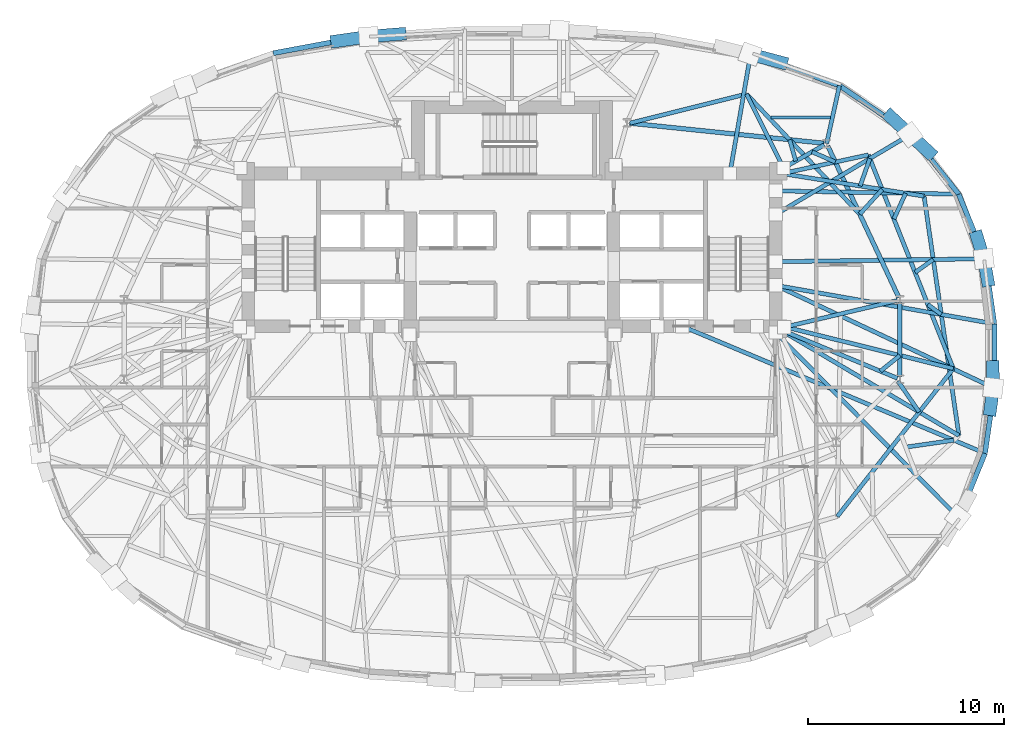
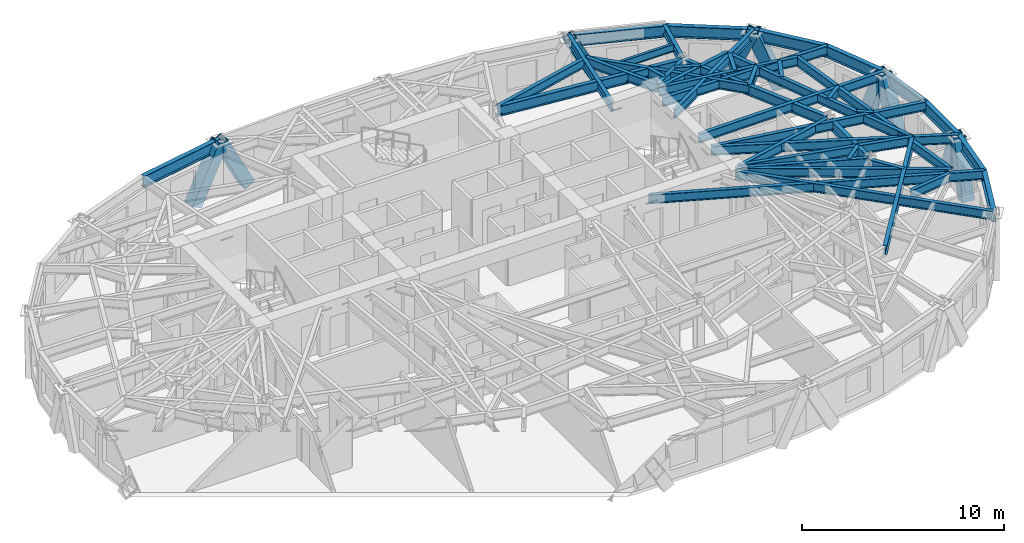
# One storey, part 4 of 15: 45 beams, 9 members.
"""IFC4 building model written with IfcOpenShell, lengths in metres."""

from ifc_helpers import new_model, si_unit, direction, frame, origin, origin_2d, place, context, subcontext, project, spatial, hollow_rectangle, i_section, extrude, material, material_profile, profile_set, type_object, element, save


model = new_model("IFC4")

# Units and contexts
model_context = context("Model", 3, precision=1e-05, world=origin(), true_north=direction((0.0, 1.0)))
body_context = subcontext(model_context, "Body", "Model", "MODEL_VIEW")
ifc_project = project(units=[si_unit("LENGTHUNIT", "METRE"), si_unit("AREAUNIT", "SQUARE_METRE"), si_unit("VOLUMEUNIT", "CUBIC_METRE"), si_unit("PLANEANGLEUNIT", "RADIAN"), si_unit("MASSUNIT", "GRAM", prefix="KILO")], contexts=[model_context])

# Site, building, storey
site_placement = place(None, origin())
site = spatial("IfcSite", under=ifc_project, at=site_placement, CompositionType="ELEMENT")
building_placement = place(site_placement, origin())
building = spatial("IfcBuilding", under=site, at=building_placement, Name="Keldmark Tower", CompositionType="ELEMENT")
storey_placement = place(building_placement, frame((0.0, 0.0, 143.800048828125)))
storey = spatial("IfcBuildingStorey", under=building, at=storey_placement, Name="L38", CompositionType="ELEMENT", Elevation=143.800048828125)

# Beam
ifc_material_1 = material(Name="Steel ASTM A992 Grade 50", Category="steel")
ifc_material_profile_1 = material_profile(ifc_material_1, i_section(OverallWidth=0.153076171875, OverallDepth=0.455078125, WebThickness=0.008056640625, FlangeThickness=0.01318359375, at=origin_2d()), Name="W18X40")
ifc_profile_set_1 = profile_set([ifc_material_profile_1], Name="Steel ASTM A992 Grade 50")
beam_type_1 = type_object("IfcBeamType", Name="Composite Floor Joist W18X40", PredefinedType="JOIST", material=ifc_profile_set_1)
beam_1_placement = place(storey_placement, frame((13.2451171875, 12.199951171875, 2.79248046875), z_axis=(1.0, 0.0, 0.0), x_axis=(0.0, 1.0, 0.0)))
element("IfcBeam", 1, at=beam_1_placement, inside=storey, type_object=beam_type_1, Name="L38 Composite Floor Joist J08", PredefinedType="JOIST", context=body_context, shape_type="SweptSolid", body=[
    extrude(i_section(OverallWidth=0.153076171875, OverallDepth=0.455078125, WebThickness=0.008056640625, FlangeThickness=0.01318359375, at=origin_2d()), origin(), (0.0, 0.0, 1.0), 3.03369140625),
])

# Members
ifc_material_2 = material(Name="Steel ASTM A572 Grade 50", Category="steel")
ifc_material_profile_2 = material_profile(ifc_material_2, hollow_rectangle(XDim=0.64990234375, YDim=0.64990234375, WallThickness=0.0400390625, at=origin_2d()), Name="BOX650X650X40")
ifc_profile_set_2 = profile_set([ifc_material_profile_2], Name="Steel ASTM A572 Grade 50")
member_type = type_object("IfcMemberType", Name="Diagrid Zone 3 Brace BOX650X650X40", PredefinedType="BRACE", material=ifc_profile_set_2)
member_1_placement = place(storey_placement, frame((24.310302734375, 3.864990234375, -0.260009765625), z_axis=(-0.057983541916, 0.328233467175, 0.942815305292), x_axis=(-0.984752742051, -0.173959871876, 0.0)))
element("IfcMember", 2, at=member_1_placement, inside=storey, type_object=member_type, Name="L38 Perimeter Diagrid Brace 01A", PredefinedType="BRACE", context=body_context, shape_type="SweptSolid", body=[
    extrude(hollow_rectangle(XDim=0.64990234375, YDim=0.64990234375, WallThickness=0.0400390625, at=origin_2d()), origin(), (0.0, 0.0, 1.0), 3.3515625),
])
member_2_placement = place(storey_placement, frame((23.76611328125, 6.081787109375, -0.260009765625), z_axis=(0.104423532685, -0.334401347567, 0.936627708626), x_axis=(0.954542441531, 0.298075036384, 0.0)))
element("IfcMember", 3, at=member_2_placement, inside=storey, type_object=member_type, Name="L38 Perimeter Diagrid Brace 01B", PredefinedType="BRACE", context=body_context, shape_type="SweptSolid", body=[
    extrude(hollow_rectangle(XDim=0.64990234375, YDim=0.64990234375, WallThickness=0.0400390625, at=origin_2d()), origin(), (0.0, 0.0, 1.0), 3.373779296875),
])
member_3_placement = place(storey_placement, frame((21.344482421875, 10.387939453125, -0.260009765625), z_axis=(-0.291987734799, 0.269298061381, 0.917726384531), x_axis=(-0.67796865305, -0.735090814445, 0.0)))
element("IfcMember", 4, at=member_3_placement, inside=storey, type_object=member_type, Name="L38 Perimeter Diagrid Brace 02A", PredefinedType="BRACE", context=body_context, shape_type="SweptSolid", body=[
    extrude(hollow_rectangle(XDim=0.64990234375, YDim=0.64990234375, WallThickness=0.0400390625, at=origin_2d()), origin(), (0.0, 0.0, 1.0), 3.443115234375),
])
member_4_placement = place(storey_placement, frame((19.322509765625, 12.255859375, -0.260009765625), z_axis=(0.296105459539, -0.275116599997, 0.914676124777), x_axis=(0.680665672598, 0.732594186536, 0.0)))
element("IfcMember", 5, at=member_4_placement, inside=storey, type_object=member_type, Name="L38 Perimeter Diagrid Brace 02B", PredefinedType="BRACE", context=body_context, shape_type="SweptSolid", body=[
    extrude(hollow_rectangle(XDim=0.64990234375, YDim=0.64990234375, WallThickness=0.0400390625, at=origin_2d()), origin(), (0.0, 0.0, 1.0), 3.45458984375),
])
member_5_placement = place(storey_placement, frame((13.790283203125, 14.99755859375, -0.260009765625), z_axis=(-0.453811427562, 0.120870862715, 0.88286206327), x_axis=(-0.257373355247, -0.966312038634, 0.0)))
element("IfcMember", 6, at=member_5_placement, inside=storey, type_object=member_type, Name="L38 Perimeter Diagrid Brace 03A", PredefinedType="BRACE", context=body_context, shape_type="SweptSolid", body=[
    extrude(hollow_rectangle(XDim=0.64990234375, YDim=0.64990234375, WallThickness=0.0400390625, at=origin_2d()), origin(), (0.0, 0.0, 1.0), 3.5791015625),
])
member_6_placement = place(storey_placement, frame((-5.70458984375, 16.458984375, -0.260009765625), z_axis=(-0.456578251005, -0.037018001999, 0.888912801256), x_axis=(0.08081184309, -0.996729374513, 0.0)))
element("IfcMember", 7, at=member_6_placement, inside=storey, type_object=member_type, Name="L38 Perimeter Diagrid Brace 05A", PredefinedType="BRACE", context=body_context, shape_type="SweptSolid", body=[
    extrude(hollow_rectangle(XDim=0.64990234375, YDim=0.64990234375, WallThickness=0.0400390625, at=origin_2d()), origin(), (0.0, 0.0, 1.0), 3.5546875),
])
member_7_placement = place(storey_placement, frame((-8.98095703125, 16.0908203125, -0.260009765625), z_axis=(0.465077364288, 0.06670269281, 0.88275353072), x_axis=(-0.141970053123, 0.989870953214, 0.0)))
element("IfcMember", 8, at=member_7_placement, inside=storey, type_object=member_type, Name="L38 Perimeter Diagrid Brace 05B", PredefinedType="BRACE", context=body_context, shape_type="SweptSolid", body=[
    extrude(hollow_rectangle(XDim=0.64990234375, YDim=0.64990234375, WallThickness=0.0400390625, at=origin_2d()), origin(), (0.0, 0.0, 1.0), 3.57958984375),
])
member_8_placement = place(storey_placement, frame((24.443359375, -2.740234375, -0.260009765625), z_axis=(0.045649428466, 0.331559006753, 0.942329430041), x_axis=(-0.990654605441, 0.136394474662, 0.0)))
element("IfcMember", 9, at=member_8_placement, inside=storey, type_object=member_type, Name="L38 Perimeter Diagrid Brace 16A", PredefinedType="BRACE", context=body_context, shape_type="SweptSolid", body=[
    extrude(hollow_rectangle(XDim=0.64990234375, YDim=0.64990234375, WallThickness=0.0400390625, at=origin_2d()), origin(), (0.0, 0.0, 1.0), 3.353271484375),
])
member_9_placement = place(storey_placement, frame((24.57177734375, -0.542236328125, -0.260009765625), z_axis=(0.006714367493, -0.328128220098, 0.944609331123), x_axis=(0.99979070604, 0.020458350746, 0.0)))
element("IfcMember", 10, at=member_9_placement, inside=storey, type_object=member_type, Name="L38 Perimeter Diagrid Brace 16B", PredefinedType="BRACE", context=body_context, shape_type="SweptSolid", body=[
    extrude(hollow_rectangle(XDim=0.64990234375, YDim=0.64990234375, WallThickness=0.0400390625, at=origin_2d()), origin(), (0.0, 0.0, 1.0), 3.34521484375),
])

# Beams
ifc_material_3 = material(Name="Steel ASTM A992 Grade 50", Category="steel")
ifc_material_profile_3 = material_profile(ifc_material_3, i_section(OverallWidth=0.22900390625, OverallDepth=0.612060546875, WebThickness=0.011962890625, FlangeThickness=0.01953125, at=origin_2d()), Name="W24X84")
ifc_profile_set_3 = profile_set([ifc_material_profile_3], Name="Steel ASTM A992 Grade 50")
beam_type_2 = type_object("IfcBeamType", Name="Primary Floor Girder W24X84", PredefinedType="BEAM", material=ifc_profile_set_3)
beam_2_placement = place(storey_placement, frame((19.76904296875, 2.99609375, 2.7138671875), z_axis=(-0.424526823774, 0.905415360979, 0.0), x_axis=(-0.905415360979, -0.424526823774, 0.0)))
element("IfcBeam", 11, at=beam_2_placement, inside=storey, type_object=beam_type_2, Name="L38 Floor Ring Girder FG-R01", PredefinedType="BEAM", context=body_context, shape_type="SweptSolid", body=[
    extrude(i_section(OverallWidth=0.22900390625, OverallDepth=0.612060546875, WebThickness=0.011962890625, FlangeThickness=0.01953125, at=origin_2d()), origin(), (0.0, 0.0, 1.0), 8.54638671875),
])
beam_3_placement = place(storey_placement, frame((15.942138671875, 10.87548828125, 2.7138671875), z_axis=(-0.994702930931, 0.102791435423, 0.0), x_axis=(-0.102791435423, -0.994702930931, 0.0)))
element("IfcBeam", 12, at=beam_3_placement, inside=storey, type_object=beam_type_2, Name="L38 Floor Ring Girder FG-R02", PredefinedType="BEAM", context=body_context, shape_type="SweptSolid", body=[
    extrude(i_section(OverallWidth=0.22900390625, OverallDepth=0.612060546875, WebThickness=0.011962890625, FlangeThickness=0.01953125, at=origin_2d()), origin(), (0.0, 0.0, 1.0), 9.975341796875),
])
beam_4_placement = place(storey_placement, frame((19.828369140625, -1.04931640625, 2.7138671875), z_axis=(0.0, 1.0, 0.0), x_axis=(-1.0, 0.0, 0.0)))
element("IfcBeam", 13, at=beam_4_placement, inside=storey, type_object=beam_type_2, Name="L38 Floor Ring Girder FG-R12", PredefinedType="BEAM", context=body_context, shape_type="SweptSolid", body=[
    extrude(i_section(OverallWidth=0.22900390625, OverallDepth=0.612060546875, WebThickness=0.011962890625, FlangeThickness=0.01953125, at=origin_2d()), origin(), (0.0, 0.0, 1.0), 3.778564453125),
])
ifc_material_4 = material(Name="Steel ASTM A992 Grade 50", Category="steel")
ifc_material_profile_4 = material_profile(ifc_material_4, i_section(OverallWidth=0.2099609375, OverallDepth=0.537109375, WebThickness=0.010986328125, FlangeThickness=0.017333984375, at=origin_2d()), Name="W21X68")
ifc_profile_set_4 = profile_set([ifc_material_profile_4], Name="Steel ASTM A992 Grade 50")
beam_type_3 = type_object("IfcBeamType", Name="Radial Tie Girder W21X68", PredefinedType="BEAM", material=ifc_profile_set_4)
beam_5_placement = place(storey_placement, frame((19.692138671875, 2.837158203125, 2.75146484375), z_axis=(-0.973280062348, -0.229621253887, 0.0), x_axis=(0.229621253887, -0.973280062348, 0.0)))
element("IfcBeam", 14, at=beam_5_placement, inside=storey, type_object=beam_type_3, Name="L38 Floor Radial Girder FG-C01", PredefinedType="BEAM", context=body_context, shape_type="SweptSolid", body=[
    extrude(i_section(OverallWidth=0.2099609375, OverallDepth=0.537109375, WebThickness=0.010986328125, FlangeThickness=0.017333984375, at=origin_2d()), origin(), (0.0, 0.0, 1.0), 5.939208984375),
])
beam_6_placement = place(storey_placement, frame((15.959716796875, 10.791748046875, 2.75146484375), z_axis=(-0.86929527307, -0.494293160197, 0.0), x_axis=(0.494293160197, -0.86929527307, 0.0)))
element("IfcBeam", 15, at=beam_6_placement, inside=storey, type_object=beam_type_3, Name="L38 Floor Radial Girder FG-C02", PredefinedType="BEAM", context=body_context, shape_type="SweptSolid", body=[
    extrude(i_section(OverallWidth=0.2099609375, OverallDepth=0.537109375, WebThickness=0.010986328125, FlangeThickness=0.017333984375, at=origin_2d()), origin(), (0.0, 0.0, 1.0), 2.39453125),
])
beam_7_placement = place(storey_placement, frame((19.69921875, -1.135498046875, 2.75146484375), z_axis=(-0.923393794893, 0.383854008124, 0.0), x_axis=(-0.383854008124, -0.923393794893, 0.0)))
element("IfcBeam", 16, at=beam_7_placement, inside=storey, type_object=beam_type_3, Name="L38 Floor Radial Girder FG-C12", PredefinedType="BEAM", context=body_context, shape_type="SweptSolid", body=[
    extrude(i_section(OverallWidth=0.2099609375, OverallDepth=0.537109375, WebThickness=0.010986328125, FlangeThickness=0.017333984375, at=origin_2d()), origin(), (0.0, 0.0, 1.0), 6.28515625),
])
beam_8_placement = place(storey_placement, frame((15.335205078125, 10.436767578125, 2.75146484375), z_axis=(0.915738480841, -0.401774855743, 0.0), x_axis=(0.401774855743, 0.915738480841, 0.0)))
element("IfcBeam", 17, at=beam_8_placement, inside=storey, type_object=beam_type_3, Name="L38 Framing Pin Header PH-001", PredefinedType="BEAM", context=body_context, shape_type="SweptSolid", body=[
    extrude(i_section(OverallWidth=0.2099609375, OverallDepth=0.537109375, WebThickness=0.010986328125, FlangeThickness=0.017333984375, at=origin_2d()), origin(), (0.0, 0.0, 1.0), 1.299072265625),
])
beam_9_placement = place(storey_placement, frame((13.800048828125, 9.324951171875, 2.75146484375), z_axis=(0.977362257271, 0.211572725233, 0.0), x_axis=(-0.211572725233, 0.977362257271, 0.0)))
element("IfcBeam", 18, at=beam_9_placement, inside=storey, type_object=beam_type_3, Name="L38 Sub-Ring Step Girder STP1-M01", PredefinedType="BEAM", context=body_context, shape_type="SweptSolid", body=[
    extrude(i_section(OverallWidth=0.2099609375, OverallDepth=0.537109375, WebThickness=0.010986328125, FlangeThickness=0.017333984375, at=origin_2d()), origin(), (0.0, 0.0, 1.0), 4.518798828125),
])
beam_10_placement = place(storey_placement, frame((18.82861328125, -0.773681640625, 2.75146484375), z_axis=(0.77873068282, 0.627358369383, 0.0), x_axis=(-0.627358369383, 0.77873068282, 0.0)))
element("IfcBeam", 19, at=beam_10_placement, inside=storey, type_object=beam_type_3, Name="L38 Framing Pin Header PH-008", PredefinedType="BEAM", context=body_context, shape_type="SweptSolid", body=[
    extrude(i_section(OverallWidth=0.2099609375, OverallDepth=0.537109375, WebThickness=0.010986328125, FlangeThickness=0.017333984375, at=origin_2d()), origin(), (0.0, 0.0, 1.0), 1.283935546875),
])
beam_11_placement = place(storey_placement, frame((13.800048828125, 1.52490234375, 2.75146484375), z_axis=(0.970668882002, -0.240420301792, 0.0), x_axis=(0.240420301792, 0.970668882002, 0.0)))
element("IfcBeam", 20, at=beam_11_placement, inside=storey, type_object=beam_type_3, Name="L38 Sub-Ring Step Girder STP1-M12", PredefinedType="BEAM", context=body_context, shape_type="SweptSolid", body=[
    extrude(i_section(OverallWidth=0.2099609375, OverallDepth=0.537109375, WebThickness=0.010986328125, FlangeThickness=0.017333984375, at=origin_2d()), origin(), (0.0, 0.0, 1.0), 9.018310546875),
])
beam_12_placement = place(storey_placement, frame((16.627685546875, -8.197509765625, 2.75146484375), z_axis=(0.617230686165, 0.78678223166, 0.0), x_axis=(-0.78678223166, 0.617230686165, 0.0)))
element("IfcBeam", 21, at=beam_12_placement, inside=storey, type_object=beam_type_3, Name="L38 Perimeter Collector Ring Beam CRG1-M11", PredefinedType="BEAM", context=body_context, shape_type="SweptSolid", body=[
    extrude(i_section(OverallWidth=0.2099609375, OverallDepth=0.537109375, WebThickness=0.010986328125, FlangeThickness=0.017333984375, at=origin_2d()), origin(), (0.0, 0.0, 1.0), 9.601318359375),
])
beam_13_placement = place(storey_placement, frame((22.553955078125, -0.643310546875, 2.75146484375), z_axis=(-0.369018699533, 0.929421970579, 0.0), x_axis=(-0.929421970579, -0.369018699533, 0.0)))
element("IfcBeam", 22, at=beam_13_placement, inside=storey, type_object=beam_type_3, Name="L38 Perimeter Collector Ring Beam CRG1-M12", PredefinedType="BEAM", context=body_context, shape_type="SweptSolid", body=[
    extrude(i_section(OverallWidth=0.2099609375, OverallDepth=0.537109375, WebThickness=0.010986328125, FlangeThickness=0.017333984375, at=origin_2d()), origin(), (0.0, 0.0, 1.0), 11.75390625),
])
beam_14_placement = place(storey_placement, frame((17.7734375, 7.251953125, 2.75146484375), z_axis=(0.672465847342, 0.740128153875, 0.0), x_axis=(-0.740128153875, 0.672465847342, 0.0)))
element("IfcBeam", 23, at=beam_14_placement, inside=storey, type_object=beam_type_3, Name="L38 Framing Pin Header PH-009", PredefinedType="BEAM", context=body_context, shape_type="SweptSolid", body=[
    extrude(i_section(OverallWidth=0.2099609375, OverallDepth=0.537109375, WebThickness=0.010986328125, FlangeThickness=0.017333984375, at=origin_2d()), origin(), (0.0, 0.0, 1.0), 1.703125),
])
beam_15_placement = place(storey_placement, frame((13.800048828125, 9.324951171875, 2.75146484375), z_axis=(0.987635528464, -0.156767544201, 0.0), x_axis=(0.156767544201, 0.987635528464, 0.0)))
element("IfcBeam", 24, at=beam_15_placement, inside=storey, type_object=beam_type_3, Name="L38 Sub-Ring Step Girder STP2-M01", PredefinedType="BEAM", context=body_context, shape_type="SweptSolid", body=[
    extrude(i_section(OverallWidth=0.2099609375, OverallDepth=0.537109375, WebThickness=0.010986328125, FlangeThickness=0.017333984375, at=origin_2d()), origin(), (0.0, 0.0, 1.0), 7.3505859375),
])
beam_16_placement = place(storey_placement, frame((19.728271484375, -1.287109375, 2.75146484375), z_axis=(0.567097474499, -0.823650687135, 0.0), x_axis=(0.823650687135, 0.567097474499, 0.0)))
element("IfcBeam", 25, at=beam_16_placement, inside=storey, type_object=beam_type_3, Name="L38 Framing Pin Header PH-014", PredefinedType="BEAM", context=body_context, shape_type="SweptSolid", body=[
    extrude(i_section(OverallWidth=0.2099609375, OverallDepth=0.537109375, WebThickness=0.010986328125, FlangeThickness=0.017333984375, at=origin_2d()), origin(), (0.0, 0.0, 1.0), 1.912841796875),
])
beam_17_placement = place(storey_placement, frame((13.60009765625, 1.39990234375, 2.75146484375), z_axis=(0.860913397244, -0.508751533114, 0.0), x_axis=(0.508751533114, 0.860913397244, 0.0)))
element("IfcBeam", 26, at=beam_17_placement, inside=storey, type_object=beam_type_3, Name="L38 Sub-Ring Step Girder STP2-M12", PredefinedType="BEAM", context=body_context, shape_type="SweptSolid", body=[
    extrude(i_section(OverallWidth=0.2099609375, OverallDepth=0.537109375, WebThickness=0.010986328125, FlangeThickness=0.017333984375, at=origin_2d()), origin(), (0.0, 0.0, 1.0), 10.734375),
])
beam_18_placement = place(storey_placement, frame((22.841552734375, -4.061279296875, 2.75146484375), z_axis=(-0.144119165046, 0.989560339882, 0.0), x_axis=(-0.989560339882, -0.144119165046, 0.0)))
element("IfcBeam", 27, at=beam_18_placement, inside=storey, type_object=beam_type_3, Name="L38 Perimeter Collector Ring Beam CRG2-M12", PredefinedType="BEAM", context=body_context, shape_type="SweptSolid", body=[
    extrude(i_section(OverallWidth=0.2099609375, OverallDepth=0.537109375, WebThickness=0.010986328125, FlangeThickness=0.017333984375, at=origin_2d()), origin(), (0.0, 0.0, 1.0), 12.363037109375),
])
beam_19_placement = place(storey_placement, frame((21.252685546875, 2.634033203125, 2.75146484375), z_axis=(0.803067234266, -0.595888426845, 0.0), x_axis=(0.595888426845, 0.803067234266, 0.0)))
element("IfcBeam", 28, at=beam_19_placement, inside=storey, type_object=beam_type_3, Name="L38 Framing Pin Header PH-015", PredefinedType="BEAM", context=body_context, shape_type="SweptSolid", body=[
    extrude(i_section(OverallWidth=0.2099609375, OverallDepth=0.537109375, WebThickness=0.010986328125, FlangeThickness=0.017333984375, at=origin_2d()), origin(), (0.0, 0.0, 1.0), 0.856689453125),
])
beam_20_placement = place(storey_placement, frame((13.47509765625, 3.6142578125, 2.75146484375), z_axis=(0.984850610523, -0.173404945008, 0.0), x_axis=(0.173404945008, 0.984850610523, 0.0)))
element("IfcBeam", 29, at=beam_20_placement, inside=storey, type_object=beam_type_3, Name="L38 Perimeter Radial Tie Girder RT-01", PredefinedType="BEAM", context=body_context, shape_type="SweptSolid", body=[
    extrude(i_section(OverallWidth=0.2099609375, OverallDepth=0.537109375, WebThickness=0.010986328125, FlangeThickness=0.017333984375, at=origin_2d()), origin(), (0.0, 0.0, 1.0), 11.3505859375),
])
beam_21_placement = place(storey_placement, frame((20.60205078125, 4.272705078125, 2.75146484375), z_axis=(0.814773343016, 0.579779612879, 0.0), x_axis=(-0.579779612879, 0.814773343016, 0.0)))
element("IfcBeam", 30, at=beam_21_placement, inside=storey, type_object=beam_type_3, Name="L38 Framing Pin Header PH-016", PredefinedType="BEAM", context=body_context, shape_type="SweptSolid", body=[
    extrude(i_section(OverallWidth=0.2099609375, OverallDepth=0.537109375, WebThickness=0.010986328125, FlangeThickness=0.017333984375, at=origin_2d()), origin(), (0.0, 0.0, 1.0), 1.140625),
])
beam_22_placement = place(storey_placement, frame((13.47509765625, 4.8212890625, 2.75146484375), z_axis=(0.999902212283, 0.013984486793, 0.0), x_axis=(-0.013984486793, 0.999902212283, 0.0)))
element("IfcBeam", 31, at=beam_22_placement, inside=storey, type_object=beam_type_3, Name="L38 Perimeter Radial Tie Girder RT-02", PredefinedType="BEAM", context=body_context, shape_type="SweptSolid", body=[
    extrude(i_section(OverallWidth=0.2099609375, OverallDepth=0.537109375, WebThickness=0.010986328125, FlangeThickness=0.017333984375, at=origin_2d()), origin(), (0.0, 0.0, 1.0), 10.70166015625),
])
beam_23_placement = place(storey_placement, frame((19.517822265625, 7.00390625, 2.75146484375), z_axis=(0.415389357009, 0.909643711617, 0.0), x_axis=(-0.909643711617, 0.415389357009, 0.0)))
element("IfcBeam", 32, at=beam_23_placement, inside=storey, type_object=beam_type_3, Name="L38 Framing Pin Header PH-017", PredefinedType="BEAM", context=body_context, shape_type="SweptSolid", body=[
    extrude(i_section(OverallWidth=0.2099609375, OverallDepth=0.537109375, WebThickness=0.010986328125, FlangeThickness=0.017333984375, at=origin_2d()), origin(), (0.0, 0.0, 1.0), 1.44873046875),
])
beam_24_placement = place(storey_placement, frame((13.47509765625, 8.44287109375, 2.75146484375), z_axis=(0.999834216797, -0.018208210273, 0.0), x_axis=(0.018208210273, 0.999834216797, 0.0)))
element("IfcBeam", 33, at=beam_24_placement, inside=storey, type_object=beam_type_3, Name="L38 Perimeter Radial Tie Girder RT-03", PredefinedType="BEAM", context=body_context, shape_type="SweptSolid", body=[
    extrude(i_section(OverallWidth=0.2099609375, OverallDepth=0.537109375, WebThickness=0.010986328125, FlangeThickness=0.017333984375, at=origin_2d()), origin(), (0.0, 0.0, 1.0), 9.35888671875),
])
beam_25_placement = place(storey_placement, frame((17.792724609375, 8.691162109375, 2.75146484375), z_axis=(0.333968478367, 0.942584243162, 0.0), x_axis=(-0.942584243162, 0.333968478367, 0.0)))
element("IfcBeam", 34, at=beam_25_placement, inside=storey, type_object=beam_type_3, Name="L38 Framing Pin Header PH-018", PredefinedType="BEAM", context=body_context, shape_type="SweptSolid", body=[
    extrude(i_section(OverallWidth=0.2099609375, OverallDepth=0.537109375, WebThickness=0.010986328125, FlangeThickness=0.017333984375, at=origin_2d()), origin(), (0.0, 0.0, 1.0), 1.48974609375),
])
beam_26_placement = place(storey_placement, frame((13.47509765625, 7.235595703125, 2.75146484375), z_axis=(0.859795202909, 0.510639020301, 0.0), x_axis=(-0.510639020301, 0.859795202909, 0.0)))
element("IfcBeam", 35, at=beam_26_placement, inside=storey, type_object=beam_type_3, Name="L38 Perimeter Radial Tie Girder RT-04", PredefinedType="BEAM", context=body_context, shape_type="SweptSolid", body=[
    extrude(i_section(OverallWidth=0.2099609375, OverallDepth=0.537109375, WebThickness=0.010986328125, FlangeThickness=0.017333984375, at=origin_2d()), origin(), (0.0, 0.0, 1.0), 8.044677734375),
])
beam_27_placement = place(storey_placement, frame((16.08154296875, 10.861083984375, 2.75146484375), z_axis=(0.215523685916, 0.976498612804, 0.0), x_axis=(-0.976498612804, 0.215523685916, 0.0)))
element("IfcBeam", 36, at=beam_27_placement, inside=storey, type_object=beam_type_3, Name="L38 Perimeter Column Bracket RT-05", PredefinedType="BEAM", context=body_context, shape_type="SweptSolid", body=[
    extrude(i_section(OverallWidth=0.2099609375, OverallDepth=0.537109375, WebThickness=0.010986328125, FlangeThickness=0.017333984375, at=origin_2d()), origin(), (0.0, 0.0, 1.0), 3.032470703125),
])
beam_28_placement = place(storey_placement, frame((14.502685546875, 9.96337890625, 2.75146484375), z_axis=(-0.276024904405, 0.961150483612, 0.0), x_axis=(-0.961150483612, -0.276024904405, 0.0)))
element("IfcBeam", 37, at=beam_28_placement, inside=storey, type_object=beam_type_3, Name="L38 Framing Pin Header PH-019", PredefinedType="BEAM", context=body_context, shape_type="SweptSolid", body=[
    extrude(i_section(OverallWidth=0.2099609375, OverallDepth=0.537109375, WebThickness=0.010986328125, FlangeThickness=0.017333984375, at=origin_2d()), origin(), (0.0, 0.0, 1.0), 1.137451171875),
])
beam_29_placement = place(storey_placement, frame((17.7734375, 7.251953125, 2.75146484375), z_axis=(-0.685767242311, 0.727820918477, 0.0), x_axis=(-0.727820918477, -0.685767242311, 0.0)))
element("IfcBeam", 38, at=beam_29_placement, inside=storey, type_object=beam_type_3, Name="L38 Intermediate Radial Step Girder RT-06M", PredefinedType="BEAM", context=body_context, shape_type="SweptSolid", body=[
    extrude(i_section(OverallWidth=0.2099609375, OverallDepth=0.537109375, WebThickness=0.010986328125, FlangeThickness=0.017333984375, at=origin_2d()), origin(), (0.0, 0.0, 1.0), 8.435302734375),
])
beam_30_placement = place(storey_placement, frame((13.878173828125, 9.608154296875, 2.75146484375), z_axis=(-0.446797867575, 0.894634934222, 0.0), x_axis=(-0.894634934222, -0.446797867575, 0.0)))
element("IfcBeam", 39, at=beam_30_placement, inside=storey, type_object=beam_type_3, Name="L38 Local Collector Chord RT-06C", PredefinedType="BEAM", context=body_context, shape_type="SweptSolid", body=[
    extrude(i_section(OverallWidth=0.2099609375, OverallDepth=0.537109375, WebThickness=0.010986328125, FlangeThickness=0.017333984375, at=origin_2d()), origin(), (0.0, 0.0, 1.0), 4.228759765625),
])
beam_31_placement = place(storey_placement, frame((13.47509765625, 1.199951171875, 2.75146484375), z_axis=(0.702775509597, -0.711411683282, 0.0), x_axis=(0.711411683282, 0.702775509597, 0.0)))
element("IfcBeam", 40, at=beam_31_placement, inside=storey, type_object=beam_type_3, Name="L38 Perimeter Radial Tie Girder RT-30", PredefinedType="BEAM", context=body_context, shape_type="SweptSolid", body=[
    extrude(i_section(OverallWidth=0.2099609375, OverallDepth=0.537109375, WebThickness=0.010986328125, FlangeThickness=0.017333984375, at=origin_2d()), origin(), (0.0, 0.0, 1.0), 13.31494140625),
])
beam_32_placement = place(storey_placement, frame((20.123779296875, -4.65673828125, 2.75146484375), z_axis=(0.989805577309, 0.142425135169, 0.0), x_axis=(-0.142425135169, 0.989805577309, 0.0)))
element("IfcBeam", 41, at=beam_32_placement, inside=storey, type_object=beam_type_3, Name="L38 Framing Pin Header PH-039", PredefinedType="BEAM", context=body_context, shape_type="SweptSolid", body=[
    extrude(i_section(OverallWidth=0.2099609375, OverallDepth=0.537109375, WebThickness=0.010986328125, FlangeThickness=0.017333984375, at=origin_2d()), origin(), (0.0, 0.0, 1.0), 2.485595703125),
])
beam_33_placement = place(storey_placement, frame((8.699951171875, 1.52490234375, 2.75146484375), z_axis=(0.922067149519, -0.387029936539, 0.0), x_axis=(0.387029936539, 0.922067149519, 0.0)))
element("IfcBeam", 42, at=beam_33_placement, inside=storey, type_object=beam_type_3, Name="L38 Perimeter Radial Tie Girder RT-31", PredefinedType="BEAM", context=body_context, shape_type="SweptSolid", body=[
    extrude(i_section(OverallWidth=0.2099609375, OverallDepth=0.537109375, WebThickness=0.010986328125, FlangeThickness=0.017333984375, at=origin_2d()), origin(), (0.0, 0.0, 1.0), 16.783935546875),
])
beam_34_placement = place(storey_placement, frame((13.47509765625, 3.6142578125, 2.75146484375), z_axis=(0.904828554598, -0.425776099357, 0.0), x_axis=(0.425776099357, 0.904828554598, 0.0)))
element("IfcBeam", 43, at=beam_34_placement, inside=storey, type_object=beam_type_3, Name="L38 Perimeter Radial Tie Girder RT-32", PredefinedType="BEAM", context=body_context, shape_type="SweptSolid", body=[
    extrude(i_section(OverallWidth=0.2099609375, OverallDepth=0.537109375, WebThickness=0.010986328125, FlangeThickness=0.017333984375, at=origin_2d()), origin(), (0.0, 0.0, 1.0), 12.3544921875),
])
beam_35_placement = place(storey_placement, frame((11.98876953125, 13.391357421875, 2.75146484375), z_axis=(-0.970212485872, -0.242255510276, 0.0), x_axis=(0.242255510276, -0.970212485872, 0.0)))
element("IfcBeam", 44, at=beam_35_placement, inside=storey, type_object=beam_type_3, Name="L38 Straddling Support Chord RT-06RB", PredefinedType="BEAM", context=body_context, shape_type="SweptSolid", body=[
    extrude(i_section(OverallWidth=0.2099609375, OverallDepth=0.537109375, WebThickness=0.010986328125, FlangeThickness=0.017333984375, at=origin_2d()), origin(), (0.0, 0.0, 1.0), 6.152587890625),
])
beam_36_placement = place(storey_placement, frame((11.1357421875, 9.324951171875, 2.75146484375), z_axis=(0.171110145659, 0.985251905886, 0.0), x_axis=(-0.985251905886, 0.171110145659, 0.0)))
element("IfcBeam", 45, at=beam_36_placement, inside=storey, type_object=beam_type_3, Name="L38 Perimeter Radial Tie Girder RT-06R", PredefinedType="BEAM", context=body_context, shape_type="SweptSolid", body=[
    extrude(i_section(OverallWidth=0.2099609375, OverallDepth=0.537109375, WebThickness=0.010986328125, FlangeThickness=0.017333984375, at=origin_2d()), origin(), (0.0, 0.0, 1.0), 6.24365234375),
])
ifc_material_5 = material(Name="Steel ASTM A992 Grade 50", Category="steel")
ifc_material_profile_5 = material_profile(ifc_material_5, i_section(OverallWidth=0.256103515625, OverallDepth=0.693115234375, WebThickness=0.014404296875, FlangeThickness=0.023681640625, at=origin_2d()), Name="W27X114")
ifc_profile_set_5 = profile_set([ifc_material_profile_5], Name="Steel ASTM A992 Grade 50")
beam_type_4 = type_object("IfcBeamType", Name="Spandrel Ring Beam W27X114", PredefinedType="SPANDREL", material=ifc_profile_set_5)
beam_37_placement = place(storey_placement, frame((24.65380859375, 1.64599609375, 2.67333984375), z_axis=(-0.142306536474, 0.989822635464, 0.0), x_axis=(-0.989822635464, -0.142306536474, 0.0)))
element("IfcBeam", 46, at=beam_37_placement, inside=storey, type_object=beam_type_4, Name="L38 Perimeter Spandrel Ring Beam SRB-01", PredefinedType="SPANDREL", context=body_context, shape_type="SweptSolid", body=[
    extrude(i_section(OverallWidth=0.256103515625, OverallDepth=0.693115234375, WebThickness=0.014404296875, FlangeThickness=0.023681640625, at=origin_2d()), origin(), (0.0, 0.0, 1.0), 3.359130859375),
])
beam_38_placement = place(storey_placement, frame((24.17578125, 4.970947265625, 2.67333984375), z_axis=(-0.376863872061, 0.926268655378, 0.0), x_axis=(-0.926268655378, -0.376863872061, 0.0)))
element("IfcBeam", 47, at=beam_38_placement, inside=storey, type_object=beam_type_4, Name="L38 Perimeter Spandrel Ring Beam SRB-02", PredefinedType="SPANDREL", context=body_context, shape_type="SweptSolid", body=[
    extrude(i_section(OverallWidth=0.256103515625, OverallDepth=0.693115234375, WebThickness=0.014404296875, FlangeThickness=0.023681640625, at=origin_2d()), origin(), (0.0, 0.0, 1.0), 3.564208984375),
])
beam_39_placement = place(storey_placement, frame((22.83251953125, 8.2724609375, 2.67333984375), z_axis=(-0.622179579914, 0.78287455594, 0.0), x_axis=(-0.78287455594, -0.622179579914, 0.0)))
element("IfcBeam", 48, at=beam_39_placement, inside=storey, type_object=beam_type_4, Name="L38 Perimeter Spandrel Ring Beam SRB-03", PredefinedType="SPANDREL", context=body_context, shape_type="SweptSolid", body=[
    extrude(i_section(OverallWidth=0.256103515625, OverallDepth=0.693115234375, WebThickness=0.014404296875, FlangeThickness=0.023681640625, at=origin_2d()), origin(), (0.0, 0.0, 1.0), 3.9228515625),
])
beam_40_placement = place(storey_placement, frame((20.391845703125, 11.343505859375, 2.67333984375), z_axis=(-0.827748957235, 0.561098622166, 0.0), x_axis=(-0.561098622166, -0.827748957235, 0.0)))
element("IfcBeam", 49, at=beam_40_placement, inside=storey, type_object=beam_type_4, Name="L38 Perimeter Spandrel Ring Beam SRB-04", PredefinedType="SPANDREL", context=body_context, shape_type="SweptSolid", body=[
    extrude(i_section(OverallWidth=0.256103515625, OverallDepth=0.693115234375, WebThickness=0.014404296875, FlangeThickness=0.023681640625, at=origin_2d()), origin(), (0.0, 0.0, 1.0), 4.417724609375),
])
beam_41_placement = place(storey_placement, frame((16.735107421875, 13.822265625, 2.67333984375), z_axis=(-0.939349296455, 0.342961950147, 0.0), x_axis=(-0.342961950147, -0.939349296455, 0.0)))
element("IfcBeam", 50, at=beam_41_placement, inside=storey, type_object=beam_type_4, Name="L38 Perimeter Spandrel Ring Beam SRB-05", PredefinedType="SPANDREL", context=body_context, shape_type="SweptSolid", body=[
    extrude(i_section(OverallWidth=0.256103515625, OverallDepth=0.693115234375, WebThickness=0.014404296875, FlangeThickness=0.023681640625, at=origin_2d()), origin(), (0.0, 0.0, 1.0), 4.823486328125),
])
beam_42_placement = place(storey_placement, frame((-7.33349609375, 16.386962890625, 2.67333984375), z_axis=(-0.98297578121, -0.183735172338, 0.0), x_axis=(0.183735172338, -0.98297578121, 0.0)))
element("IfcBeam", 51, at=beam_42_placement, inside=storey, type_object=beam_type_4, Name="L38 Perimeter Spandrel Ring Beam SRB-10", PredefinedType="SPANDREL", context=body_context, shape_type="SweptSolid", body=[
    extrude(i_section(OverallWidth=0.256103515625, OverallDepth=0.693115234375, WebThickness=0.014404296875, FlangeThickness=0.023681640625, at=origin_2d()), origin(), (0.0, 0.0, 1.0), 4.955078125),
])
beam_43_placement = place(storey_placement, frame((22.83251953125, -8.2724609375, 2.67333984375), z_axis=(0.376863872061, 0.926268655378, 0.0), x_axis=(-0.926268655378, 0.376863872061, 0.0)))
element("IfcBeam", 52, at=beam_43_placement, inside=storey, type_object=beam_type_4, Name="L38 Perimeter Spandrel Ring Beam SRB-30", PredefinedType="SPANDREL", context=body_context, shape_type="SweptSolid", body=[
    extrude(i_section(OverallWidth=0.256103515625, OverallDepth=0.693115234375, WebThickness=0.014404296875, FlangeThickness=0.023681640625, at=origin_2d()), origin(), (0.0, 0.0, 1.0), 3.564208984375),
])
beam_44_placement = place(storey_placement, frame((24.17578125, -4.970947265625, 2.67333984375), z_axis=(0.142306536474, 0.989822635464, 0.0), x_axis=(-0.989822635464, 0.142306536474, 0.0)))
element("IfcBeam", 53, at=beam_44_placement, inside=storey, type_object=beam_type_4, Name="L38 Perimeter Spandrel Ring Beam SRB-31", PredefinedType="SPANDREL", context=body_context, shape_type="SweptSolid", body=[
    extrude(i_section(OverallWidth=0.256103515625, OverallDepth=0.693115234375, WebThickness=0.014404296875, FlangeThickness=0.023681640625, at=origin_2d()), origin(), (0.0, 0.0, 1.0), 3.359130859375),
])
beam_45_placement = place(storey_placement, frame((24.65380859375, -1.64599609375, 2.67333984375), z_axis=(0.0, 1.0, 0.0), x_axis=(-1.0, 0.0, 0.0)))
element("IfcBeam", 54, at=beam_45_placement, inside=storey, type_object=beam_type_4, Name="L38 Perimeter Spandrel Ring Beam SRB-32", PredefinedType="SPANDREL", context=body_context, shape_type="SweptSolid", body=[
    extrude(i_section(OverallWidth=0.256103515625, OverallDepth=0.693115234375, WebThickness=0.014404296875, FlangeThickness=0.023681640625, at=origin_2d()), origin(), (0.0, 0.0, 1.0), 3.2919921875),
])

save(model, "model.ifc")
